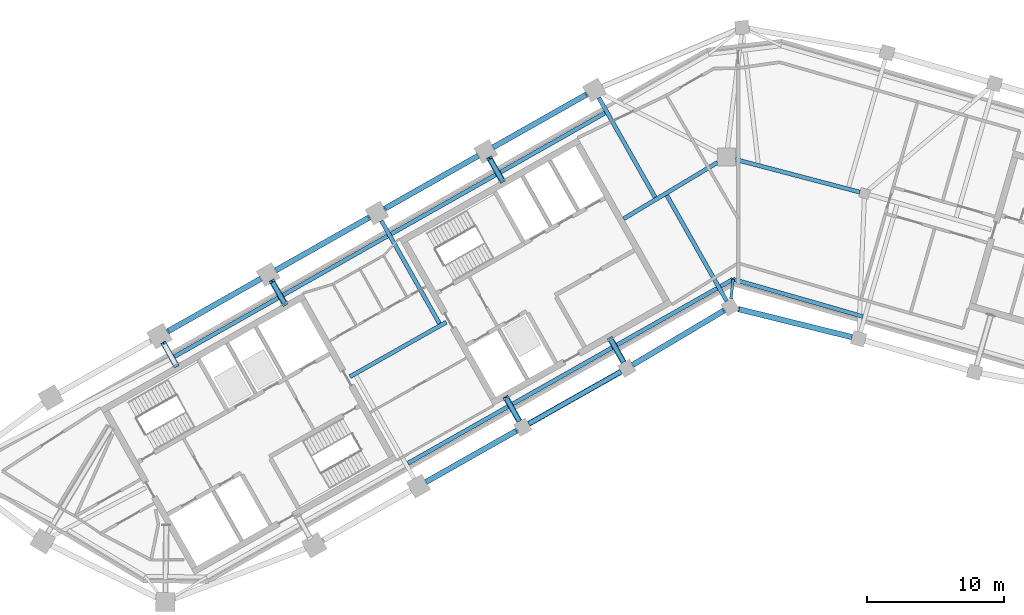
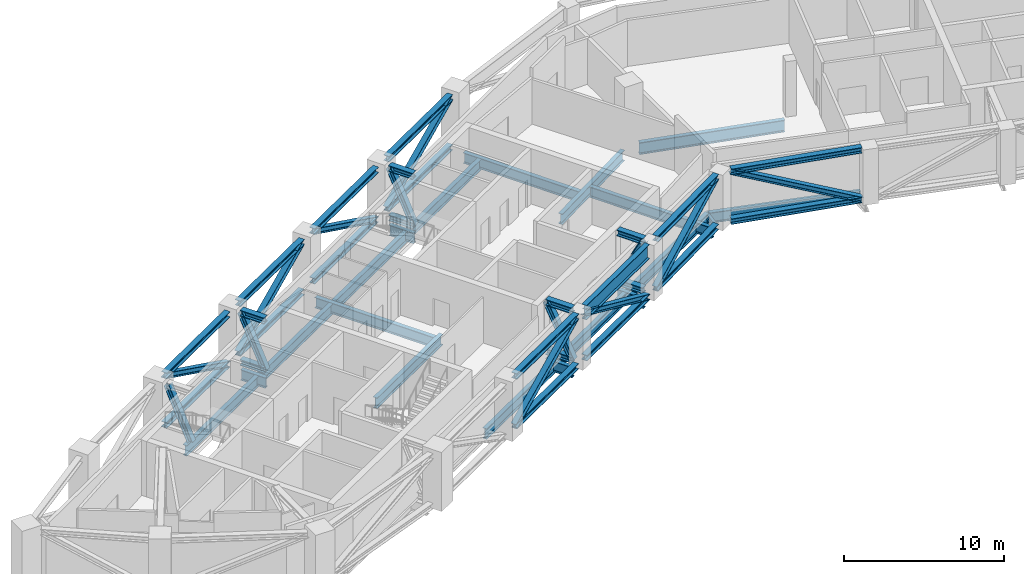
# One storey, part 2 of 13: 36 members, 21 beams.
"""IFC4 building model written with IfcOpenShell, lengths in metres."""

from ifc_helpers import new_model, si_unit, direction, frame, origin, origin_2d, place, context, subcontext, project, spatial, i_section, extrude, material, material_profile, profile_set, type_object, element, save


model = new_model("IFC4")

# Units and contexts
model_context = context("Model", 3, precision=1e-05, world=origin(), true_north=direction((0.0, 1.0)))
body_context = subcontext(model_context, "Body", "Model", "MODEL_VIEW")
ifc_project = project(units=[si_unit("LENGTHUNIT", "METRE"), si_unit("AREAUNIT", "SQUARE_METRE"), si_unit("VOLUMEUNIT", "CUBIC_METRE"), si_unit("PLANEANGLEUNIT", "RADIAN"), si_unit("MASSUNIT", "GRAM", prefix="KILO")], contexts=[model_context])

# Site, building, storey
site_placement = place(None, origin())
site = spatial("IfcSite", under=ifc_project, at=site_placement, CompositionType="ELEMENT")
building_placement = place(site_placement, origin())
building = spatial("IfcBuilding", under=site, at=building_placement, Name="Binnacle Exchange Tower", CompositionType="ELEMENT")
storey_placement = place(building_placement, frame((0.0, 0.0, 258.199951171875)))
storey = spatial("IfcBuildingStorey", under=building, at=storey_placement, Name="L57", CompositionType="ELEMENT", Elevation=258.199951171875)

# Members
ifc_material_1 = material(Name="Steel S355 (SHN355)", Category="steel")
ifc_material_profile_1 = material_profile(ifc_material_1, i_section(OverallWidth=0.406982421875, OverallDepth=0.427978515625, WebThickness=0.02001953125, FlangeThickness=0.034912109375, FilletRadius=0.02197265625, at=origin_2d()), Name="H 428x407x20x35")
ifc_profile_set_1 = profile_set([ifc_material_profile_1], Name="Steel S355 (SHN355)")
member_type_1 = type_object("IfcMemberType", Name="Belt truss chord BT57C H 428x407x20x35 Steel S355 (SHN355)", PredefinedType="CHORD", material=ifc_profile_set_1)
for number, where, z_axis, x_axis, name in (
    (1, (-22.790283203125, 36.266357421875, 4.006103515625), (0.870357072119, 0.492421127708, 0.0), (-0.492421127708, 0.870357072119, 0.0), "S:TR:L57:BEL:007"),
    (2, (-22.790283203125, 36.266357421875, 0.214111328125), (0.870357072119, 0.492421127708, 0.0), (-0.492421127708, 0.870357072119, 0.0), "S:TR:L57:BEL:008"),
):
    element("IfcMember", number, at=place(storey_placement, frame(where, z_axis=z_axis, x_axis=x_axis)), inside=storey, type_object=member_type_1, Name=name, PredefinedType="CHORD", context=body_context, shape_type="SweptSolid", body=[
        extrude(i_section(OverallWidth=0.406982421875, OverallDepth=0.427978515625, WebThickness=0.02001953125, FlangeThickness=0.034912109375, FilletRadius=0.02197265625, at=origin_2d()), origin(), (0.0, 0.0, 1.0), 7.6044921875),
    ])
member_1_placement = place(storey_placement, frame((-15.30126953125, 40.50341796875, 0.214111328125), z_axis=(0.870352841483, 0.492428605304, 0.0), x_axis=(-0.492428605304, 0.870352841483, 0.0)))
element("IfcMember", 3, at=member_1_placement, inside=storey, type_object=member_type_1, Name="S:TR:L57:BEL:011", PredefinedType="CHORD", context=body_context, shape_type="SweptSolid", body=[
    extrude(i_section(OverallWidth=0.406982421875, OverallDepth=0.427978515625, WebThickness=0.02001953125, FlangeThickness=0.034912109375, FilletRadius=0.02197265625, at=origin_2d()), origin(), (0.0, 0.0, 1.0), 7.754638671875),
])
for number, where, z_axis, x_axis, name in (
    (4, (-7.68701171875, 44.82373046875, 4.006103515625), (0.859458521045, 0.51120548765, 0.0), (-0.51120548765, 0.859458521045, 0.0), "S:TR:L57:BEL:013"),
    (5, (-7.68701171875, 44.82373046875, 0.214111328125), (0.859458521045, 0.51120548765, 0.0), (-0.51120548765, 0.859458521045, 0.0), "S:TR:L57:BEL:014"),
):
    element("IfcMember", number, at=place(storey_placement, frame(where, z_axis=z_axis, x_axis=x_axis)), inside=storey, type_object=member_type_1, Name=name, PredefinedType="CHORD", context=body_context, shape_type="SweptSolid", body=[
        extrude(i_section(OverallWidth=0.406982421875, OverallDepth=0.427978515625, WebThickness=0.02001953125, FlangeThickness=0.034912109375, FilletRadius=0.02197265625, at=origin_2d()), origin(), (0.0, 0.0, 1.0), 7.75634765625),
    ])
for number, where, z_axis, x_axis, name in (
    (6, (0.076904296875, 48.87939453125, 4.006103515625), (0.970819987475, -0.239809407487, 0.0), (0.239809407487, 0.970819987475, 0.0), "S:TR:L57:BEL:016"),
    (7, (0.076904296875, 48.87939453125, 0.214111328125), (0.970819987475, -0.239809407487, 0.0), (0.239809407487, 0.970819987475, 0.0), "S:TR:L57:BEL:017"),
):
    element("IfcMember", number, at=place(storey_placement, frame(where, z_axis=z_axis, x_axis=x_axis)), inside=storey, type_object=member_type_1, Name=name, PredefinedType="CHORD", context=body_context, shape_type="SweptSolid", body=[
        extrude(i_section(OverallWidth=0.406982421875, OverallDepth=0.427978515625, WebThickness=0.02001953125, FlangeThickness=0.034912109375, FilletRadius=0.02197265625, at=origin_2d()), origin(), (0.0, 0.0, 1.0), 8.49462890625),
    ])
for number, where, z_axis, x_axis, name in (
    (8, (-11.060791015625, 64.58154296875, 4.006103515625), (-0.870361249296, -0.492413744452, 0.0), (0.492413744452, -0.870361249296, 0.0), "S:TR:L57:BEL:046"),
    (9, (-11.060791015625, 64.58154296875, 0.214111328125), (-0.870361249296, -0.492413744452, 0.0), (0.492413744452, -0.870361249296, 0.0), "S:TR:L57:BEL:047"),
):
    element("IfcMember", number, at=place(storey_placement, frame(where, z_axis=z_axis, x_axis=x_axis)), inside=storey, type_object=member_type_1, Name=name, PredefinedType="CHORD", context=body_context, shape_type="SweptSolid", body=[
        extrude(i_section(OverallWidth=0.406982421875, OverallDepth=0.427978515625, WebThickness=0.02001953125, FlangeThickness=0.034912109375, FilletRadius=0.02197265625, at=origin_2d()), origin(), (0.0, 0.0, 1.0), 7.829833984375),
    ])
for number, where, z_axis, x_axis, name in (
    (10, (-19.007080078125, 60.0859375, 4.006103515625), (-0.870355446453, -0.492424001069, 0.0), (0.492424001069, -0.870355446453, 0.0), "S:TR:L57:BEL:049"),
    (11, (-19.007080078125, 60.0859375, 0.214111328125), (-0.870355446453, -0.492424001069, 0.0), (0.492424001069, -0.870355446453, 0.0), "S:TR:L57:BEL:050"),
):
    element("IfcMember", number, at=place(storey_placement, frame(where, z_axis=z_axis, x_axis=x_axis)), inside=storey, type_object=member_type_1, Name=name, PredefinedType="CHORD", context=body_context, shape_type="SweptSolid", body=[
        extrude(i_section(OverallWidth=0.406982421875, OverallDepth=0.427978515625, WebThickness=0.02001953125, FlangeThickness=0.034912109375, FilletRadius=0.02197265625, at=origin_2d()), origin(), (0.0, 0.0, 1.0), 7.830078125),
    ])
for number, where, z_axis, x_axis, name in (
    (12, (-26.953369140625, 55.590087890625, 4.006103515625), (-0.870361249296, -0.492413744452, 0.0), (0.492413744452, -0.870361249296, 0.0), "S:TR:L57:BEL:052"),
    (13, (-26.953369140625, 55.590087890625, 0.214111328125), (-0.870361249296, -0.492413744452, 0.0), (0.492413744452, -0.870361249296, 0.0), "S:TR:L57:BEL:053"),
):
    element("IfcMember", number, at=place(storey_placement, frame(where, z_axis=z_axis, x_axis=x_axis)), inside=storey, type_object=member_type_1, Name=name, PredefinedType="CHORD", context=body_context, shape_type="SweptSolid", body=[
        extrude(i_section(OverallWidth=0.406982421875, OverallDepth=0.427978515625, WebThickness=0.02001953125, FlangeThickness=0.034912109375, FilletRadius=0.02197265625, at=origin_2d()), origin(), (0.0, 0.0, 1.0), 7.829833984375),
    ])
for number, where, z_axis, x_axis, name in (
    (14, (-34.8994140625, 51.09423828125, 4.006103515625), (-0.870365218126, -0.492406729317, 0.0), (0.492406729317, -0.870365218126, 0.0), "S:TR:L57:BEL:055"),
    (15, (-34.8994140625, 51.09423828125, 0.214111328125), (-0.870365218126, -0.492406729317, 0.0), (0.492406729317, -0.870365218126, 0.0), "S:TR:L57:BEL:056"),
):
    element("IfcMember", number, at=place(storey_placement, frame(where, z_axis=z_axis, x_axis=x_axis)), inside=storey, type_object=member_type_1, Name=name, PredefinedType="CHORD", context=body_context, shape_type="SweptSolid", body=[
        extrude(i_section(OverallWidth=0.406982421875, OverallDepth=0.427978515625, WebThickness=0.02001953125, FlangeThickness=0.034912109375, FilletRadius=0.02197265625, at=origin_2d()), origin(), (0.0, 0.0, 1.0), 7.77978515625),
    ])
ifc_material_profile_2 = material_profile(ifc_material_1, i_section(OverallWidth=0.39990234375, OverallDepth=0.39990234375, WebThickness=0.012939453125, FlangeThickness=0.02099609375, FilletRadius=0.02197265625, at=origin_2d()), Name="H 400x400x13x21")
ifc_profile_set_2 = profile_set([ifc_material_profile_2], Name="Steel S355 (SHN355)")
member_type_2 = type_object("IfcMemberType", Name="Belt truss diagonal BT57D H 400x400x13x21 Steel S355 (SHN355)", PredefinedType="BRACE", material=ifc_profile_set_2)
member_2_placement = place(storey_placement, frame((-22.790283203125, 36.266357421875, 0.214111328125), z_axis=(0.778891355259, 0.440672652414, 0.446246423087), x_axis=(-0.492421127708, 0.870357072119, 0.0)))
element("IfcMember", 16, at=member_2_placement, inside=storey, type_object=member_type_2, Name="S:TR:L57:BEL:009", PredefinedType="BRACE", context=body_context, shape_type="SweptSolid", body=[
    extrude(i_section(OverallWidth=0.39990234375, OverallDepth=0.39990234375, WebThickness=0.012939453125, FlangeThickness=0.02099609375, FilletRadius=0.02197265625, at=origin_2d()), origin(), (0.0, 0.0, 1.0), 8.49755859375),
])
member_3_placement = place(storey_placement, frame((-15.30126953125, 40.50341796875, 3.670166015625), z_axis=(0.794974677624, 0.449781115309, -0.407077646462), x_axis=(-0.492428605304, 0.870352841483, 0.0)))
element("IfcMember", 17, at=member_3_placement, inside=storey, type_object=member_type_2, Name="S:TR:L57:BEL:012", PredefinedType="BRACE", context=body_context, shape_type="SweptSolid", body=[
    extrude(i_section(OverallWidth=0.39990234375, OverallDepth=0.39990234375, WebThickness=0.012939453125, FlangeThickness=0.02099609375, FilletRadius=0.02197265625, at=origin_2d()), origin(), (0.0, 0.0, 1.0), 8.489990234375),
])
member_4_placement = place(storey_placement, frame((-7.68701171875, 44.82373046875, 0.214111328125), z_axis=(0.772124109365, 0.459259024362, 0.439210095831), x_axis=(-0.51120548765, 0.859458521045, 0.0)))
element("IfcMember", 18, at=member_4_placement, inside=storey, type_object=member_type_2, Name="S:TR:L57:BEL:015", PredefinedType="BRACE", context=body_context, shape_type="SweptSolid", body=[
    extrude(i_section(OverallWidth=0.39990234375, OverallDepth=0.39990234375, WebThickness=0.012939453125, FlangeThickness=0.02099609375, FilletRadius=0.02197265625, at=origin_2d()), origin(), (0.0, 0.0, 1.0), 8.633544921875),
])
member_5_placement = place(storey_placement, frame((0.076904296875, 48.87939453125, 4.006103515625), z_axis=(0.886503592035, -0.218981792591, -0.407625263965), x_axis=(0.239809407487, 0.970819987475, 0.0)))
element("IfcMember", 19, at=member_5_placement, inside=storey, type_object=member_type_2, Name="S:TR:L57:BEL:018", PredefinedType="BRACE", context=body_context, shape_type="SweptSolid", body=[
    extrude(i_section(OverallWidth=0.39990234375, OverallDepth=0.39990234375, WebThickness=0.012939453125, FlangeThickness=0.02099609375, FilletRadius=0.02197265625, at=origin_2d()), origin(), (0.0, 0.0, 1.0), 9.302734375),
])
member_6_placement = place(storey_placement, frame((-11.060791015625, 64.58154296875, 4.006103515625), z_axis=(-0.783329880169, -0.443175060639, -0.435878612073), x_axis=(0.492413744452, -0.870361249296, 0.0)))
element("IfcMember", 20, at=member_6_placement, inside=storey, type_object=member_type_2, Name="S:TR:L57:BEL:048", PredefinedType="BRACE", context=body_context, shape_type="SweptSolid", body=[
    extrude(i_section(OverallWidth=0.39990234375, OverallDepth=0.39990234375, WebThickness=0.012939453125, FlangeThickness=0.02099609375, FilletRadius=0.02197265625, at=origin_2d()), origin(), (0.0, 0.0, 1.0), 8.69970703125),
])
member_7_placement = place(storey_placement, frame((-19.007080078125, 60.0859375, 0.214111328125), z_axis=(-0.783330981237, -0.443187869409, 0.435863609679), x_axis=(0.492424001069, -0.870355446453, 0.0)))
element("IfcMember", 21, at=member_7_placement, inside=storey, type_object=member_type_2, Name="S:TR:L57:BEL:051", PredefinedType="BRACE", context=body_context, shape_type="SweptSolid", body=[
    extrude(i_section(OverallWidth=0.39990234375, OverallDepth=0.39990234375, WebThickness=0.012939453125, FlangeThickness=0.02099609375, FilletRadius=0.02197265625, at=origin_2d()), origin(), (0.0, 0.0, 1.0), 8.699951171875),
])
member_8_placement = place(storey_placement, frame((-26.953369140625, 55.590087890625, 4.006103515625), z_axis=(-0.783329880169, -0.443175060639, -0.435878612073), x_axis=(0.492413744452, -0.870361249296, 0.0)))
element("IfcMember", 22, at=member_8_placement, inside=storey, type_object=member_type_2, Name="S:TR:L57:BEL:054", PredefinedType="BRACE", context=body_context, shape_type="SweptSolid", body=[
    extrude(i_section(OverallWidth=0.39990234375, OverallDepth=0.39990234375, WebThickness=0.012939453125, FlangeThickness=0.02099609375, FilletRadius=0.02197265625, at=origin_2d()), origin(), (0.0, 0.0, 1.0), 8.69970703125),
])
member_9_placement = place(storey_placement, frame((-34.8994140625, 51.09423828125, 0.214111328125), z_axis=(-0.782376311182, -0.442627247116, 0.438142017857), x_axis=(0.492406729317, -0.870365218126, 0.0)))
element("IfcMember", 23, at=member_9_placement, inside=storey, type_object=member_type_2, Name="S:TR:L57:BEL:057", PredefinedType="BRACE", context=body_context, shape_type="SweptSolid", body=[
    extrude(i_section(OverallWidth=0.39990234375, OverallDepth=0.39990234375, WebThickness=0.012939453125, FlangeThickness=0.02099609375, FilletRadius=0.02197265625, at=origin_2d()), origin(), (0.0, 0.0, 1.0), 8.65478515625),
])

# Beams
ifc_material_profile_3 = material_profile(ifc_material_1, i_section(OverallWidth=0.300048828125, OverallDepth=0.800048828125, WebThickness=0.013916015625, FlangeThickness=0.02587890625, FilletRadius=0.028076171875, at=origin_2d()), Name="H 800x300x14x26")
ifc_profile_set_3 = profile_set([ifc_material_profile_3], Name="Steel S355 (SHN355)")
beam_type_1 = type_object("IfcBeamType", Name="Edge girder H 800x300x14x26 Steel S355 (SHN355)", PredefinedType="SPANDREL", material=ifc_profile_set_3)
beam_1_placement = place(storey_placement, frame((-41.243408203125, 45.39111328125, -0.75), z_axis=(0.870360382815, 0.492415275988, 0.0), x_axis=(-0.492415275988, 0.870360382815, 0.0)))
element("IfcBeam", 24, at=beam_1_placement, inside=storey, type_object=beam_type_1, Name="S:BM:edge:L57:015", PredefinedType="SPANDREL", context=body_context, shape_type="SweptSolid", body=[
    extrude(i_section(OverallWidth=0.300048828125, OverallDepth=0.800048828125, WebThickness=0.013916015625, FlangeThickness=0.02587890625, FilletRadius=0.028076171875, at=origin_2d()), origin(), (0.0, 0.0, 1.0), 8.829833984375),
])
beam_2_placement = place(storey_placement, frame((-33.297119140625, 49.88671875, -0.75), z_axis=(0.870355237169, 0.492424370977, 0.0), x_axis=(-0.492424370977, 0.870355237169, 0.0)))
element("IfcBeam", 25, at=beam_2_placement, inside=storey, type_object=beam_type_1, Name="S:BM:edge:L57:017", PredefinedType="SPANDREL", context=body_context, shape_type="SweptSolid", body=[
    extrude(i_section(OverallWidth=0.300048828125, OverallDepth=0.800048828125, WebThickness=0.013916015625, FlangeThickness=0.02587890625, FilletRadius=0.028076171875, at=origin_2d()), origin(), (0.0, 0.0, 1.0), 8.830078125),
])
beam_3_placement = place(storey_placement, frame((-25.350830078125, 54.3828125, -0.75), z_axis=(0.870367086897, 0.492403426111, 0.0), x_axis=(-0.492403426111, 0.870367086897, 0.0)))
element("IfcBeam", 26, at=beam_3_placement, inside=storey, type_object=beam_type_1, Name="S:BM:edge:L57:019", PredefinedType="SPANDREL", context=body_context, shape_type="SweptSolid", body=[
    extrude(i_section(OverallWidth=0.300048828125, OverallDepth=0.800048828125, WebThickness=0.013916015625, FlangeThickness=0.02587890625, FilletRadius=0.028076171875, at=origin_2d()), origin(), (0.0, 0.0, 1.0), 8.829833984375),
])
beam_4_placement = place(storey_placement, frame((-17.404541015625, 58.87841796875, -0.75), z_axis=(0.870355237169, 0.492424370977, 0.0), x_axis=(-0.492424370977, 0.870355237169, 0.0)))
element("IfcBeam", 27, at=beam_4_placement, inside=storey, type_object=beam_type_1, Name="S:BM:edge:L57:021", PredefinedType="SPANDREL", context=body_context, shape_type="SweptSolid", body=[
    extrude(i_section(OverallWidth=0.300048828125, OverallDepth=0.800048828125, WebThickness=0.013916015625, FlangeThickness=0.02587890625, FilletRadius=0.028076171875, at=origin_2d()), origin(), (0.0, 0.0, 1.0), 8.830078125),
])
beam_5_placement = place(storey_placement, frame((-16.773193359375, 41.784912109375, -0.75), z_axis=(-0.870346536716, -0.492439748626, 0.0), x_axis=(0.492439748626, -0.870346536716, 0.0)))
element("IfcBeam", 28, at=beam_5_placement, inside=storey, type_object=beam_type_1, Name="S:BM:edge:L57:022", PredefinedType="SPANDREL", context=body_context, shape_type="SweptSolid", body=[
    extrude(i_section(OverallWidth=0.300048828125, OverallDepth=0.800048828125, WebThickness=0.013916015625, FlangeThickness=0.02587890625, FilletRadius=0.028076171875, at=origin_2d()), origin(), (0.0, 0.0, 1.0), 8.4541015625),
])
beam_6_placement = place(storey_placement, frame((-9.153076171875, 46.095947265625, -0.75), z_axis=(-0.870362169255, -0.492412118383, 0.0), x_axis=(0.492412118383, -0.870362169255, 0.0)))
element("IfcBeam", 29, at=beam_6_placement, inside=storey, type_object=beam_type_1, Name="S:BM:edge:L57:023", PredefinedType="SPANDREL", context=body_context, shape_type="SweptSolid", body=[
    extrude(i_section(OverallWidth=0.300048828125, OverallDepth=0.800048828125, WebThickness=0.013916015625, FlangeThickness=0.02587890625, FilletRadius=0.028076171875, at=origin_2d()), origin(), (0.0, 0.0, 1.0), 8.455078125),
])
beam_7_placement = place(storey_placement, frame((-1.5341796875, 50.406494140625, -0.75), z_axis=(-0.870358913836, -0.492417872447, 0.0), x_axis=(0.492417872447, -0.870358913836, 0.0)))
element("IfcBeam", 30, at=beam_7_placement, inside=storey, type_object=beam_type_1, Name="S:BM:edge:L57:026", PredefinedType="SPANDREL", context=body_context, shape_type="SweptSolid", body=[
    extrude(i_section(OverallWidth=0.300048828125, OverallDepth=0.800048828125, WebThickness=0.013916015625, FlangeThickness=0.02587890625, FilletRadius=0.028076171875, at=origin_2d()), origin(), (0.0, 0.0, 1.0), 8.453857421875),
])
beam_8_placement = place(storey_placement, frame((-0.36328125, 51.069091796875, -0.75), z_axis=(-0.870262522534, -0.492588207199, 0.0), x_axis=(0.492588207199, -0.870262522534, 0.0)))
element("IfcBeam", 31, at=beam_8_placement, inside=storey, type_object=beam_type_1, Name="S:BM:edge:L57:027", PredefinedType="SPANDREL", context=body_context, shape_type="SweptSolid", body=[
    extrude(i_section(OverallWidth=0.300048828125, OverallDepth=0.800048828125, WebThickness=0.013916015625, FlangeThickness=0.02587890625, FilletRadius=0.028076171875, at=origin_2d()), origin(), (0.0, 0.0, 1.0), 1.045166015625),
])
beam_9_placement = place(storey_placement, frame((9.120361328125, 48.349609375, -0.75), z_axis=(-0.961259233925, 0.275645941735, 0.0), x_axis=(-0.275645941735, -0.961259233925, 0.0)))
element("IfcBeam", 32, at=beam_9_placement, inside=storey, type_object=beam_type_1, Name="S:BM:edge:L57:030", PredefinedType="SPANDREL", context=body_context, shape_type="SweptSolid", body=[
    extrude(i_section(OverallWidth=0.300048828125, OverallDepth=0.800048828125, WebThickness=0.013916015625, FlangeThickness=0.02587890625, FilletRadius=0.028076171875, at=origin_2d()), origin(), (0.0, 0.0, 1.0), 9.865966796875),
])
ifc_material_profile_4 = material_profile(ifc_material_1, i_section(OverallWidth=0.199951171875, OverallDepth=0.39990234375, WebThickness=0.008056640625, FlangeThickness=0.012939453125, FilletRadius=0.01611328125, at=origin_2d()), Name="H 400x200x8x13")
ifc_profile_set_4 = profile_set([ifc_material_profile_4], Name="Steel S355 (SHN355)")
beam_type_2 = type_object("IfcBeamType", Name="Floor beam H 400x200x8x13 Steel S355 (SHN355)", PredefinedType="BEAM", material=ifc_profile_set_4)
beam_10_placement = place(storey_placement, frame((-0.52197265625, 49.657958984375, -0.550048828125), z_axis=(0.111752328489, 0.993736090256, 0.0), x_axis=(-0.993736090256, 0.111752328489, 0.0)))
element("IfcBeam", 33, at=beam_10_placement, inside=storey, type_object=beam_type_2, Name="S:BM:cross:L57:052", PredefinedType="BEAM", context=body_context, shape_type="SweptSolid", body=[
    extrude(i_section(OverallWidth=0.199951171875, OverallDepth=0.39990234375, WebThickness=0.008056640625, FlangeThickness=0.012939453125, FilletRadius=0.01611328125, at=origin_2d()), origin(), (0.0, 0.0, 1.0), 1.419921875),
])
ifc_material_profile_5 = material_profile(ifc_material_1, i_section(OverallWidth=0.300048828125, OverallDepth=0.800048828125, WebThickness=0.013916015625, FlangeThickness=0.02587890625, FilletRadius=0.028076171875, at=origin_2d()), Name="H 800x300x14x26")
ifc_profile_set_5 = profile_set([ifc_material_profile_5], Name="Steel S355 (SHN355)")
beam_type_3 = type_object("IfcBeamType", Name="Floor beam H 800x300x14x26 Steel S355 (SHN355)", PredefinedType="BEAM", material=ifc_profile_set_5)
beam_11_placement = place(storey_placement, frame((-34.013671875, 50.8486328125, -0.75), z_axis=(0.492435931281, -0.870348696548, 0.0), x_axis=(0.870348696548, 0.492435931281, 0.0)))
element("IfcBeam", 34, at=beam_11_placement, inside=storey, type_object=beam_type_3, Name="S:BM:cross:L57:043", PredefinedType="BEAM", context=body_context, shape_type="SweptSolid", body=[
    extrude(i_section(OverallWidth=0.300048828125, OverallDepth=0.800048828125, WebThickness=0.013916015625, FlangeThickness=0.02587890625, FilletRadius=0.028076171875, at=origin_2d()), origin(), (0.0, 0.0, 1.0), 1.784423828125),
])
beam_12_placement = place(storey_placement, frame((-18.12109375, 59.84033203125, -0.75), z_axis=(0.49233227435, -0.870407336615, 0.0), x_axis=(0.870407336615, 0.49233227435, 0.0)))
element("IfcBeam", 35, at=beam_12_placement, inside=storey, type_object=beam_type_3, Name="S:BM:cross:L57:047", PredefinedType="BEAM", context=body_context, shape_type="SweptSolid", body=[
    extrude(i_section(OverallWidth=0.300048828125, OverallDepth=0.800048828125, WebThickness=0.013916015625, FlangeThickness=0.02587890625, FilletRadius=0.028076171875, at=origin_2d()), origin(), (0.0, 0.0, 1.0), 1.7841796875),
])
for number, where, z_axis, x_axis, name in (
    (36, (-15.982666015625, 40.6923828125, -0.75), (-0.492369148916, 0.870386478063, 0.0), (-0.870386478063, -0.492369148916, 0.0), "S:BM:cross:L57:048"),
    (37, (-8.363037109375, 45.00341796875, -0.75), (-0.492518856771, 0.870301772792, 0.0), (-0.870301772792, -0.492518856771, 0.0), "S:BM:cross:L57:050"),
):
    element("IfcBeam", number, at=place(storey_placement, frame(where, z_axis=z_axis, x_axis=x_axis)), inside=storey, type_object=beam_type_3, Name=name, PredefinedType="BEAM", context=body_context, shape_type="SweptSolid", body=[
        extrude(i_section(OverallWidth=0.300048828125, OverallDepth=0.800048828125, WebThickness=0.013916015625, FlangeThickness=0.02587890625, FilletRadius=0.028076171875, at=origin_2d()), origin(), (0.0, 0.0, 1.0), 1.934326171875),
    ])
ifc_material_profile_6 = material_profile(ifc_material_1, i_section(OverallWidth=0.302001953125, OverallDepth=0.80810546875, WebThickness=0.01611328125, FlangeThickness=0.030029296875, FilletRadius=0.028076171875, at=origin_2d()), Name="H 808x302x16x30")
ifc_profile_set_6 = profile_set([ifc_material_profile_6], Name="Steel S355 (SHN355)")
beam_type_4 = type_object("IfcBeamType", Name="Floor beam H 808x302x16x30 Steel S355 (SHN355)", PredefinedType="BEAM", material=ifc_profile_set_6)
beam_13_placement = place(storey_placement, frame((-26.0673828125, 55.344482421875, -0.75390625), z_axis=(0.492401028839, -0.870368443131, 0.0), x_axis=(0.870368443131, 0.492401028839, 0.0)))
element("IfcBeam", 38, at=beam_13_placement, inside=storey, type_object=beam_type_4, Name="S:BM:cross:L57:045", PredefinedType="BEAM", context=body_context, shape_type="SweptSolid", body=[
    extrude(i_section(OverallWidth=0.302001953125, OverallDepth=0.80810546875, WebThickness=0.01611328125, FlangeThickness=0.030029296875, FilletRadius=0.028076171875, at=origin_2d()), origin(), (0.0, 0.0, 1.0), 8.634033203125),
])
beam_14_placement = place(storey_placement, frame((-10.175048828125, 64.3359375, -0.75390625), z_axis=(0.492424391334, -0.870355225652, 0.0), x_axis=(0.870355225652, 0.492424391334, 0.0)))
element("IfcBeam", 39, at=beam_14_placement, inside=storey, type_object=beam_type_4, Name="S:BM:cross:L57:049", PredefinedType="BEAM", context=body_context, shape_type="SweptSolid", body=[
    extrude(i_section(OverallWidth=0.302001953125, OverallDepth=0.80810546875, WebThickness=0.01611328125, FlangeThickness=0.030029296875, FilletRadius=0.028076171875, at=origin_2d()), origin(), (0.0, 0.0, 1.0), 8.369384765625),
])
beam_15_placement = place(storey_placement, frame((-0.837158203125, 49.479736328125, -0.75390625), z_axis=(-0.492421413499, 0.870356910427, 0.0), x_axis=(-0.870356910427, -0.492421413499, 0.0)))
element("IfcBeam", 40, at=beam_15_placement, inside=storey, type_object=beam_type_4, Name="S:BM:cross:L57:051", PredefinedType="BEAM", context=body_context, shape_type="SweptSolid", body=[
    extrude(i_section(OverallWidth=0.302001953125, OverallDepth=0.80810546875, WebThickness=0.01611328125, FlangeThickness=0.030029296875, FilletRadius=0.028076171875, at=origin_2d()), origin(), (0.0, 0.0, 1.0), 8.879638671875),
])

# Members
ifc_material_2 = material(Name="Steel S460 (SHN460)", Category="steel")
ifc_material_profile_7 = material_profile(ifc_material_2, i_section(OverallWidth=0.4169921875, OverallDepth=0.4580078125, WebThickness=0.030029296875, FlangeThickness=0.050048828125, FilletRadius=0.02197265625, at=origin_2d()), Name="H 458x417x30x50")
ifc_profile_set_7 = profile_set([ifc_material_profile_7], Name="Steel S460 (SHN460)")
member_type_3 = type_object("IfcMemberType", Name="Outrigger truss chord OT57C H 458x417x30x50 Steel S460 (SHN460)", PredefinedType="CHORD", material=ifc_profile_set_7)
for number, where, z_axis, x_axis, name in (
    (41, (-34.013671875, 50.8486328125, 3.990966796875), (0.492426196623, -0.870354204264, 0.0), (0.870354204264, 0.492426196623, 0.0), "S:TR:L57:OUT:079"),
    (42, (-34.013671875, 50.8486328125, 0.22900390625), (0.492426196623, -0.870354204264, 0.0), (0.870354204264, 0.492426196623, 0.0), "S:TR:L57:OUT:080"),
):
    element("IfcMember", number, at=place(storey_placement, frame(where, z_axis=z_axis, x_axis=x_axis)), inside=storey, type_object=member_type_3, Name=name, PredefinedType="CHORD", context=body_context, shape_type="SweptSolid", body=[
        extrude(i_section(OverallWidth=0.4169921875, OverallDepth=0.4580078125, WebThickness=0.030029296875, FlangeThickness=0.050048828125, FilletRadius=0.02197265625, at=origin_2d()), origin(), (0.0, 0.0, 1.0), 1.744140625),
    ])
for number, where, z_axis, x_axis, name in (
    (43, (-18.12109375, 59.84033203125, 3.990966796875), (0.492366212259, -0.870388139295, 0.0), (0.870388139295, 0.492366212259, 0.0), "S:TR:L57:OUT:085"),
    (44, (-18.12109375, 59.84033203125, 0.22900390625), (0.492366212259, -0.870388139295, 0.0), (0.870388139295, 0.492366212259, 0.0), "S:TR:L57:OUT:086"),
):
    element("IfcMember", number, at=place(storey_placement, frame(where, z_axis=z_axis, x_axis=x_axis)), inside=storey, type_object=member_type_3, Name=name, PredefinedType="CHORD", context=body_context, shape_type="SweptSolid", body=[
        extrude(i_section(OverallWidth=0.4169921875, OverallDepth=0.4580078125, WebThickness=0.030029296875, FlangeThickness=0.050048828125, FilletRadius=0.02197265625, at=origin_2d()), origin(), (0.0, 0.0, 1.0), 1.744384765625),
    ])
for number, where, z_axis, x_axis, name in (
    (45, (-15.982666015625, 40.6923828125, 3.990966796875), (-0.492358770029, 0.870392349217, 0.0), (-0.870392349217, -0.492358770029, 0.0), "S:TR:L57:OUT:088"),
    (46, (-15.982666015625, 40.6923828125, 0.22900390625), (-0.492358770029, 0.870392349217, 0.0), (-0.870392349217, -0.492358770029, 0.0), "S:TR:L57:OUT:089"),
    (47, (-8.363037109375, 45.00341796875, 3.990966796875), (-0.492456405383, 0.870337112157, 0.0), (-0.870337112157, -0.492456405383, 0.0), "S:TR:L57:OUT:091"),
    (48, (-8.363037109375, 45.00341796875, 0.22900390625), (-0.492456405383, 0.870337112157, 0.0), (-0.870337112157, -0.492456405383, 0.0), "S:TR:L57:OUT:092"),
):
    element("IfcMember", number, at=place(storey_placement, frame(where, z_axis=z_axis, x_axis=x_axis)), inside=storey, type_object=member_type_3, Name=name, PredefinedType="CHORD", context=body_context, shape_type="SweptSolid", body=[
        extrude(i_section(OverallWidth=0.4169921875, OverallDepth=0.4580078125, WebThickness=0.030029296875, FlangeThickness=0.050048828125, FilletRadius=0.02197265625, at=origin_2d()), origin(), (0.0, 0.0, 1.0), 1.894287109375),
    ])
ifc_material_profile_8 = material_profile(ifc_material_1, i_section(OverallWidth=0.405029296875, OverallDepth=0.4140625, WebThickness=0.01806640625, FlangeThickness=0.028076171875, FilletRadius=0.02197265625, at=origin_2d()), Name="H 414x405x18x28")
ifc_profile_set_8 = profile_set([ifc_material_profile_8], Name="Steel S355 (SHN355)")
member_type_4 = type_object("IfcMemberType", Name="Outrigger truss diagonal OT57D H 414x405x18x28 Steel S355 (SHN355)", PredefinedType="BRACE", material=ifc_profile_set_8)
member_10_placement = place(storey_placement, frame((-41.935302734375, 46.3095703125, 3.990966796875), z_axis=(0.202190463743, -0.357457591886, -0.91178017437), x_axis=(0.870407152189, 0.492332600402, 0.0)))
element("IfcMember", 49, at=member_10_placement, inside=storey, type_object=member_type_4, Name="S:TR:L57:OUT:075", PredefinedType="BRACE", context=body_context, shape_type="SweptSolid", body=[
    extrude(i_section(OverallWidth=0.405029296875, OverallDepth=0.4140625, WebThickness=0.01806640625, FlangeThickness=0.028076171875, FilletRadius=0.02197265625, at=origin_2d()), origin(), (0.0, 0.0, 1.0), 4.1259765625),
])
for number, where, z_axis, x_axis, name in (
    (50, (-34.013671875, 50.8486328125, 3.990966796875), (0.207128634233, -0.366096034013, -0.907232838229), (0.870354204264, 0.492426196623, 0.0), "S:TR:L57:OUT:081"),
    (51, (-18.12109375, 59.84033203125, 3.990966796875), (0.20712416945, -0.366147018137, -0.907213282277), (0.870388139295, 0.492366212259, 0.0), "S:TR:L57:OUT:087"),
):
    element("IfcMember", number, at=place(storey_placement, frame(where, z_axis=z_axis, x_axis=x_axis)), inside=storey, type_object=member_type_4, Name=name, PredefinedType="BRACE", context=body_context, shape_type="SweptSolid", body=[
        extrude(i_section(OverallWidth=0.405029296875, OverallDepth=0.4140625, WebThickness=0.01806640625, FlangeThickness=0.028076171875, FilletRadius=0.02197265625, at=origin_2d()), origin(), (0.0, 0.0, 1.0), 4.146728515625),
    ])
for number, where, z_axis, x_axis, name in (
    (52, (-15.982666015625, 40.6923828125, 0.22900390625), (-0.221423161898, 0.39143209746, 0.89317002662), (-0.870392349217, -0.492358770029, 0.0), "S:TR:L57:OUT:090"),
    (53, (-8.363037109375, 45.00341796875, 3.990966796875), (-0.221478283135, 0.391427073021, -0.89315856185), (-0.870337112157, -0.492456405383, 0.0), "S:TR:L57:OUT:093"),
):
    element("IfcMember", number, at=place(storey_placement, frame(where, z_axis=z_axis, x_axis=x_axis)), inside=storey, type_object=member_type_4, Name=name, PredefinedType="BRACE", context=body_context, shape_type="SweptSolid", body=[
        extrude(i_section(OverallWidth=0.405029296875, OverallDepth=0.4140625, WebThickness=0.01806640625, FlangeThickness=0.028076171875, FilletRadius=0.02197265625, at=origin_2d()), origin(), (0.0, 0.0, 1.0), 4.2119140625),
    ])

# Beams
ifc_material_profile_9 = material_profile(ifc_material_1, i_section(OverallWidth=0.302001953125, OverallDepth=0.80810546875, WebThickness=0.01611328125, FlangeThickness=0.030029296875, FilletRadius=0.028076171875, at=origin_2d()), Name="H 808x302x16x30")
ifc_profile_set_9 = profile_set([ifc_material_profile_9], Name="Steel S355 (SHN355)")
beam_type_5 = type_object("IfcBeamType", Name="Spine girder H 808x302x16x30 Steel S355 (SHN355)", PredefinedType="BEAM", material=ifc_profile_set_9)
beam_16_placement = place(storey_placement, frame((-28.365478515625, 43.951416015625, -0.75390625), z_axis=(0.870350319004, 0.492433063684, 0.0), x_axis=(-0.492433063684, 0.870350319004, 0.0)))
element("IfcBeam", 54, at=beam_16_placement, inside=storey, type_object=beam_type_5, Name="S:BM:spine:L57:002", PredefinedType="BEAM", context=body_context, shape_type="SweptSolid", body=[
    extrude(i_section(OverallWidth=0.302001953125, OverallDepth=0.80810546875, WebThickness=0.01611328125, FlangeThickness=0.030029296875, FilletRadius=0.028076171875, at=origin_2d()), origin(), (0.0, 0.0, 1.0), 8.0908203125),
])
beam_17_placement = place(storey_placement, frame((-8.36328125, 55.489990234375, -0.75390625), z_axis=(0.857387955422, 0.514670665472, 0.0), x_axis=(-0.514670665472, 0.857387955422, 0.0)))
element("IfcBeam", 55, at=beam_17_placement, inside=storey, type_object=beam_type_5, Name="S:BM:spine:L57:003", PredefinedType="BEAM", context=body_context, shape_type="SweptSolid", body=[
    extrude(i_section(OverallWidth=0.302001953125, OverallDepth=0.80810546875, WebThickness=0.01611328125, FlangeThickness=0.030029296875, FilletRadius=0.028076171875, at=origin_2d()), origin(), (0.0, 0.0, 1.0), 8.0048828125),
])
ifc_material_profile_10 = material_profile(ifc_material_1, i_section(OverallWidth=0.302001953125, OverallDepth=0.912109375, WebThickness=0.01806640625, FlangeThickness=0.033935546875, FilletRadius=0.028076171875, at=origin_2d()), Name="H 912x302x18x34")
ifc_profile_set_10 = profile_set([ifc_material_profile_10], Name="Steel S355 (SHN355)")
beam_type_6 = type_object("IfcBeamType", Name="Spine girder H 912x302x18x34 Steel S355 (SHN355)", PredefinedType="BEAM", material=ifc_profile_set_10)
beam_18_placement = place(storey_placement, frame((-0.199951171875, 59.829345703125, -0.805908203125), z_axis=(0.967210495765, -0.253976095098, 0.0), x_axis=(0.253976095098, 0.967210495765, 0.0)))
element("IfcBeam", 56, at=beam_18_placement, inside=storey, type_object=beam_type_6, Name="S:BM:spine:L57:006", PredefinedType="BEAM", context=body_context, shape_type="SweptSolid", body=[
    extrude(i_section(OverallWidth=0.302001953125, OverallDepth=0.912109375, WebThickness=0.01806640625, FlangeThickness=0.033935546875, FilletRadius=0.028076171875, at=origin_2d()), origin(), (0.0, 0.0, 1.0), 9.410888671875),
])
ifc_material_3 = material(Name="Steel S355 (SM355)", Category="steel")
ifc_material_profile_11 = material_profile(ifc_material_3, i_section(OverallWidth=0.35009765625, OverallDepth=1.10009765625, WebThickness=0.02001953125, FlangeThickness=0.035888671875, at=origin_2d()), Name="BH 1100x350x20x36")
ifc_profile_set_11 = profile_set([ifc_material_profile_11], Name="Steel S355 (SM355)")
beam_type_7 = type_object("IfcBeamType", Name="Transfer girder BH 1100x350x20x36 Steel S355 (SM355)", PredefinedType="BEAM", material=ifc_profile_set_11)
beam_19_placement = place(storey_placement, frame((-15.30126953125, 40.50341796875, 3.670166015625), z_axis=(0.870352841483, 0.492428605304, 0.0), x_axis=(-0.492428605304, 0.870352841483, 0.0)))
element("IfcBeam", 57, at=beam_19_placement, inside=storey, type_object=beam_type_7, Name="Transfer girder TG1 L57", PredefinedType="BEAM", context=body_context, shape_type="SweptSolid", body=[
    extrude(i_section(OverallWidth=0.35009765625, OverallDepth=1.10009765625, WebThickness=0.02001953125, FlangeThickness=0.035888671875, at=origin_2d()), origin(), (0.0, 0.0, 1.0), 7.754638671875),
])

save(model, "model.ifc")
